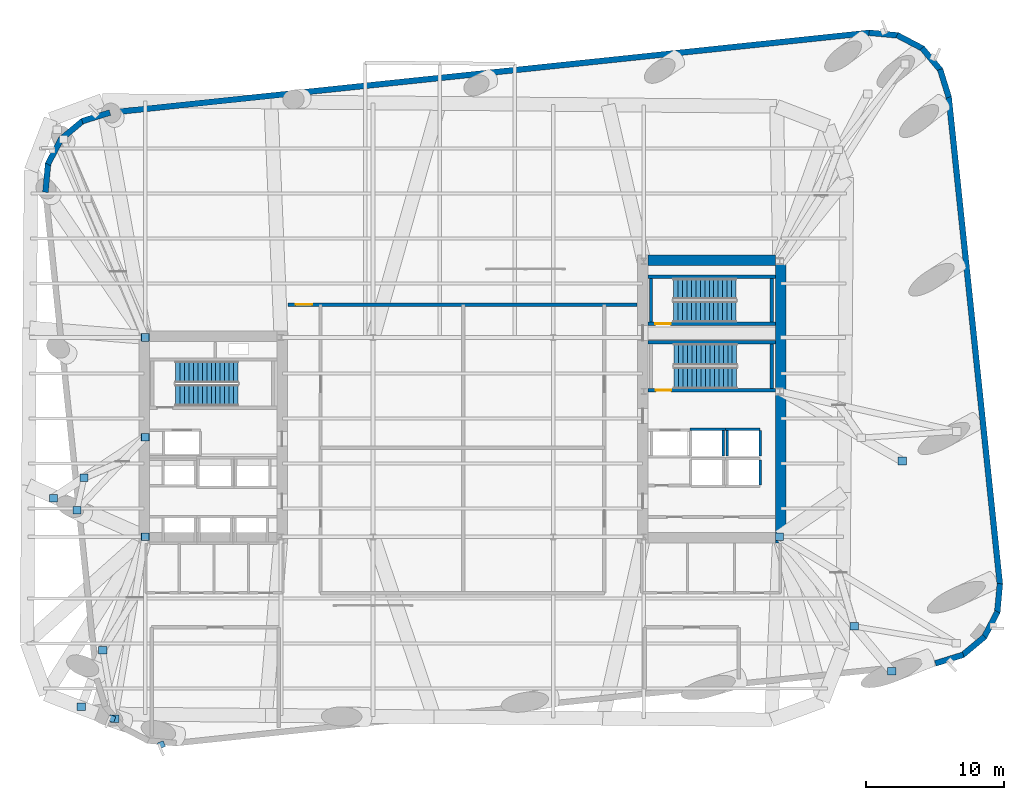
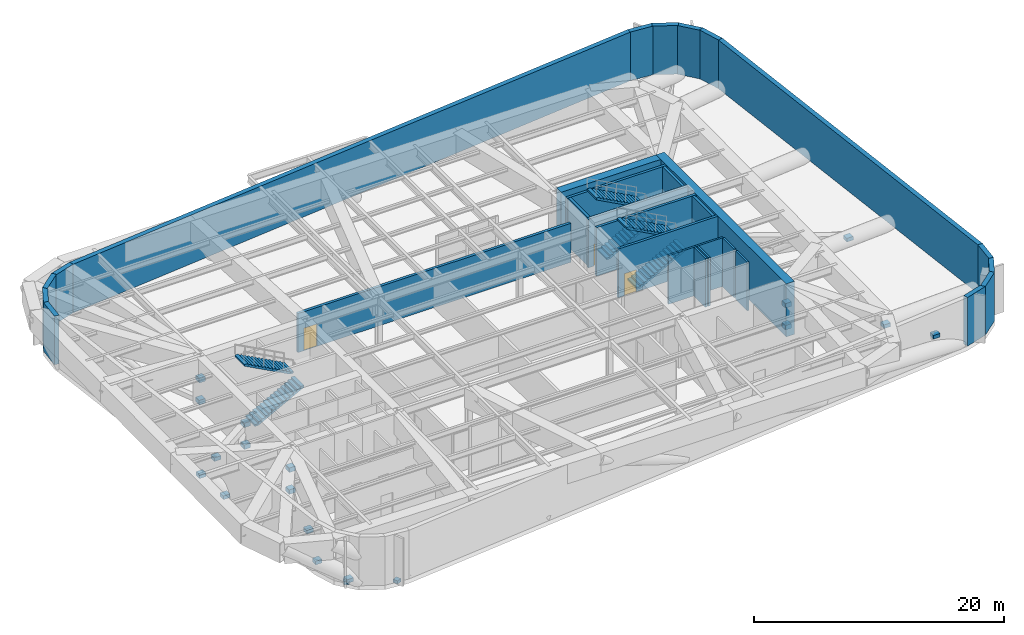
# One storey, part 9 of 15: 30 walls, 27 discrete accessories, 6 stair flights, 3 doors, 3 openings, 3 elements without a shape of their own.
"""IFC4 building model written with IfcOpenShell, lengths in metres."""

from ifc_helpers import new_model, si_unit, direction, frame, frame_2d, origin, origin_2d, place, context, subcontext, project, spatial, polyline, rectangle, outline, extrude, material, layer, layer_set, type_object, element, fill, aggregate, save


model = new_model("IFC4")

# Units and contexts
model_context = context("Model", 3, precision=1e-05, world=origin(), true_north=direction((0.0, 1.0)))
body_context = subcontext(model_context, "Body", "Model", "MODEL_VIEW")
ifc_project = project(units=[si_unit("LENGTHUNIT", "METRE"), si_unit("AREAUNIT", "SQUARE_METRE"), si_unit("VOLUMEUNIT", "CUBIC_METRE"), si_unit("PLANEANGLEUNIT", "RADIAN"), si_unit("MASSUNIT", "GRAM", prefix="KILO")], contexts=[model_context])

# Site, building, storey
site_placement = place(None, origin())
site = spatial("IfcSite", under=ifc_project, at=site_placement, CompositionType="ELEMENT")
building_placement = place(site_placement, origin())
building = spatial("IfcBuilding", under=site, at=building_placement, Name="Kolvaren Arena Tower", CompositionType="ELEMENT")
storey_placement = place(building_placement, frame((0.0, 0.0, 153.25)))
storey = spatial("IfcBuildingStorey", under=building, at=storey_placement, Name="L36", CompositionType="ELEMENT", Elevation=153.25)

# Walls
ifc_material_1 = material(Name="Concrete 70 MPa", Category="concrete")
ifc_layer_1 = layer(ifc_material_1, 0.75)
ifc_layer_set_1 = layer_set([ifc_layer_1], Name="Concrete 70 MPa")
wall_type_1 = type_object("IfcWallType", Name="CWALL-750", PredefinedType="SHEAR", material=ifc_layer_set_1)
wall_1_placement = place(storey_placement, frame((60.425048828125, 19.0, -0.419921875), z_axis=(0.0, 0.0, 1.0), x_axis=(0.0, 1.0, 0.0)))
element("IfcWall", 1, at=wall_1_placement, inside=storey, type_object=wall_type_1, Name="Core Shear Wall EC-EAST (L36)", PredefinedType="SHEAR", context=body_context, shape_type="SweptSolid", body=[
    extrude(rectangle(XDim=20.800048828125, YDim=0.75, at=frame_2d((10.39990234375, 0.0))), origin(), (0.0, 0.0, 1.0), 5.169921875),
])
wall_2_placement = place(storey_placement, frame((50.85009765625, 39.425048828125, -0.419921875), z_axis=(0.0, 0.0, 1.0), x_axis=(1.0, 0.0, 0.0)))
element("IfcWall", 2, at=wall_2_placement, inside=storey, type_object=wall_type_1, Name="Core Shear Wall EC-NORTH (L36)", PredefinedType="SHEAR", context=body_context, shape_type="SweptSolid", body=[
    extrude(rectangle(XDim=9.199951171875, YDim=0.75, at=frame_2d((4.60009765625, 0.0))), origin(), (0.0, 0.0, 1.0), 5.169921875),
])
ifc_material_2 = material(Name="Precast concrete C50/60", Category="concrete")
ifc_layer_2 = layer(ifc_material_2, 0.419921875)
ifc_layer_set_2 = layer_set([ifc_layer_2], Name="Precast concrete C50/60")
wall_type_2 = type_object("IfcWallType", Name="EXT-PIER1", PredefinedType="SOLIDWALL", material=ifc_layer_set_2)
for number, where, z_axis, x_axis, name in (
    (3, (73.61328125, 10.93701171875, 0.0), (0.0, 0.0, 1.0), (-0.954993985335, -0.296625164093, 0.0), "Exterior Precast Masonry-Frame Wall (L36)"),
    (4, (75.1611328125, 12.2451171875, 0.0), (0.0, 0.0, 1.0), (-0.768800317178, -0.639488914921, 0.0), "Exterior Precast Masonry-Frame Wall (L36)"),
):
    element("IfcWall", number, at=place(storey_placement, frame(where, z_axis=z_axis, x_axis=x_axis)), inside=storey, type_object=wall_type_2, Name=name, PredefinedType="SOLIDWALL", context=body_context, shape_type="SweptSolid", body=[
        extrude(rectangle(XDim=2.10693359375, YDim=0.419921875, at=frame_2d((1.053466796875, 0.0))), origin(), (0.0, 0.0, 1.0), 4.75),
    ])
wall_3_placement = place(storey_placement, frame((76.0908203125, 14.046142578125, 0.0), z_axis=(0.0, 0.0, 1.0), x_axis=(-0.465655699908, -0.884965970613, 0.0)))
element("IfcWall", 5, at=wall_3_placement, inside=storey, type_object=wall_type_2, Name="Exterior Precast Masonry-Frame Wall (L36)", PredefinedType="SOLIDWALL", context=body_context, shape_type="SweptSolid", body=[
    extrude(rectangle(XDim=2.107177734375, YDim=0.419921875, at=frame_2d((1.0537109375, 0.0))), origin(), (0.0, 0.0, 1.0), 4.75),
])
wall_4_placement = place(storey_placement, frame((76.26025390625, 16.065673828125, 0.0), z_axis=(0.0, 0.0, 1.0), x_axis=(-0.091538655308, -0.995801523691, 0.0)))
element("IfcWall", 6, at=wall_4_placement, inside=storey, type_object=wall_type_2, Name="Exterior Precast Masonry-Frame Wall (L36)", PredefinedType="SOLIDWALL", context=body_context, shape_type="SweptSolid", body=[
    extrude(rectangle(XDim=2.10693359375, YDim=0.419921875, at=frame_2d((1.053466796875, 0.0))), origin(), (0.0, 0.0, 1.0), 4.75),
])
wall_5_placement = place(storey_placement, frame((72.560302734375, 51.23046875, 0.0), z_axis=(0.0, 0.0, 1.0), x_axis=(0.1045253859, -0.994522218808, 0.0)))
element("IfcWall", 7, at=wall_5_placement, inside=storey, type_object=wall_type_2, Name="Exterior Precast Masonry-Frame Wall (L36)", PredefinedType="SOLIDWALL", context=body_context, shape_type="SweptSolid", body=[
    extrude(rectangle(XDim=35.39990234375, YDim=0.419921875, at=frame_2d((17.699951171875, 0.0))), origin(), (0.0, 0.0, 1.0), 4.75),
])
for number, where, z_axis, x_axis, name in (
    (8, (71.943603515625, 53.202392578125, 0.0), (0.0, 0.0, 1.0), (0.296625164093, -0.954993985335, 0.0), "Exterior Precast Masonry-Frame Wall (L36)"),
    (9, (70.635498046875, 54.750244140625, 0.0), (0.0, 0.0, 1.0), (0.639488914921, -0.768800317178, 0.0), "Exterior Precast Masonry-Frame Wall (L36)"),
    (10, (68.83447265625, 55.6796875, 0.0), (0.0, 0.0, 1.0), (0.885013714693, -0.465564952296, 0.0), "Exterior Precast Masonry-Frame Wall (L36)"),
    (11, (66.81494140625, 55.849365234375, 0.0), (0.0, 0.0, 1.0), (0.995801523691, -0.091538655308, 0.0), "Exterior Precast Masonry-Frame Wall (L36)"),
):
    element("IfcWall", number, at=place(storey_placement, frame(where, z_axis=z_axis, x_axis=x_axis)), inside=storey, type_object=wall_type_2, Name=name, PredefinedType="SOLIDWALL", context=body_context, shape_type="SweptSolid", body=[
        extrude(rectangle(XDim=2.10693359375, YDim=0.419921875, at=frame_2d((1.053466796875, 0.0))), origin(), (0.0, 0.0, 1.0), 4.75),
    ])
wall_6_placement = place(storey_placement, frame((11.95849609375, 50.07958984375, 0.0), z_axis=(0.0, 0.0, 1.0), x_axis=(0.994521823388, 0.104529148113, 0.0)))
element("IfcWall", 12, at=wall_6_placement, inside=storey, type_object=wall_type_2, Name="Exterior Precast Masonry-Frame Wall (L36)", PredefinedType="SOLIDWALL", context=body_context, shape_type="SweptSolid", body=[
    extrude(rectangle(XDim=55.2001953125, YDim=0.419921875, at=frame_2d((27.60009765625, 0.0))), origin(), (0.0, 0.0, 1.0), 4.75),
])
wall_7_placement = place(storey_placement, frame((9.98681640625, 49.463134765625, 0.0), z_axis=(0.0, 0.0, 1.0), x_axis=(0.955016613791, 0.296552301261, 0.0)))
element("IfcWall", 13, at=wall_7_placement, inside=storey, type_object=wall_type_2, Name="Exterior Precast Masonry-Frame Wall (L36)", PredefinedType="SOLIDWALL", context=body_context, shape_type="SweptSolid", body=[
    extrude(rectangle(XDim=2.106689453125, YDim=0.419921875, at=frame_2d((1.05322265625, 0.0))), origin(), (0.0, 0.0, 1.0), 4.75),
])
wall_8_placement = place(storey_placement, frame((8.438720703125, 48.15478515625, 0.0), z_axis=(0.0, 0.0, 1.0), x_axis=(0.768800317178, 0.639488914921, 0.0)))
element("IfcWall", 14, at=wall_8_placement, inside=storey, type_object=wall_type_2, Name="Exterior Precast Masonry-Frame Wall (L36)", PredefinedType="SOLIDWALL", context=body_context, shape_type="SweptSolid", body=[
    extrude(rectangle(XDim=2.10693359375, YDim=0.419921875, at=frame_2d((1.053466796875, 0.0))), origin(), (0.0, 0.0, 1.0), 4.75),
])
wall_9_placement = place(storey_placement, frame((7.50927734375, 46.35400390625, 0.0), z_axis=(0.0, 0.0, 1.0), x_axis=(0.465612698516, 0.884988595961, 0.0)))
element("IfcWall", 15, at=wall_9_placement, inside=storey, type_object=wall_type_2, Name="Exterior Precast Masonry-Frame Wall (L36)", PredefinedType="SOLIDWALL", context=body_context, shape_type="SweptSolid", body=[
    extrude(rectangle(XDim=2.106689453125, YDim=0.419921875, at=frame_2d((1.05322265625, 0.0))), origin(), (0.0, 0.0, 1.0), 4.75),
])
wall_10_placement = place(storey_placement, frame((7.339599609375, 44.33447265625, 0.0), z_axis=(0.0, 0.0, 1.0), x_axis=(0.091538655308, 0.995801523691, 0.0)))
element("IfcWall", 16, at=wall_10_placement, inside=storey, type_object=wall_type_2, Name="Exterior Precast Masonry-Frame Wall (L36)", PredefinedType="SOLIDWALL", context=body_context, shape_type="SweptSolid", body=[
    extrude(rectangle(XDim=2.10693359375, YDim=0.419921875, at=frame_2d((1.053466796875, 0.0))), origin(), (0.0, 0.0, 1.0), 4.75),
])

# Wall, opening, door
ifc_material_3 = material(Name="Concrete 45 MPa", Category="concrete")
ifc_layer_3 = layer(ifc_material_3, 0.25)
ifc_layer_set_3 = layer_set([ifc_layer_3], Name="Concrete 45 MPa")
wall_type_3 = type_object("IfcWallType", Name="SHAFT-250", PredefinedType="SOLIDWALL", material=ifc_layer_set_3)
wall_11_placement = place(storey_placement, frame((60.050048828125, 30.030029296875, 0.0), z_axis=(0.0, 0.0, 1.0), x_axis=(-1.0, 0.0, 0.0)))
wall_11 = element("IfcWall", 17, at=wall_11_placement, inside=storey, type_object=wall_type_3, Name="Core Shaft Wall (L36)", PredefinedType="SOLIDWALL", context=body_context, shape_type="SweptSolid", body=[
    extrude(rectangle(XDim=9.199951171875, YDim=0.239990234375, at=frame_2d((4.60009765625, 0.0))), origin(), (0.0, 0.0, 1.0), 4.75),
])
opening_1_placement = place(wall_11_placement, frame((7.530029296875, 0.0, 0.0)))
opening_1 = element("IfcOpeningElement", 18, at=opening_1_placement, cuts=wall_11, Name="Opening D03", PredefinedType="OPENING", context=body_context, shape_type="SweptSolid", body=[
    extrude(rectangle(XDim=1.10009765625, YDim=2.14990234375, at=frame_2d((0.550048828125, 1.074951171875))), frame((0.0, 0.1298828125, 0.0), z_axis=(0.0, -1.0, 0.0), x_axis=(1.0, 0.0, 0.0)), (0.0, 0.0, 1.0), 0.260009765625),
])
ifc_material_4 = material(Name="Fire-rated steel exit stair door", Category="steel")
door_type_1 = type_object("IfcDoorType", Name="DOOR-ST-110", OperationType="NOTDEFINED", PredefinedType="DOOR", material=ifc_material_4)
door_1_placement = place(opening_1_placement, origin())
door_1 = element("IfcDoor", 19, at=door_1_placement, inside=storey, type_object=door_type_1, Name="Stair ST-E1 Fire Door (L36)", OperationType="SINGLE_SWING_LEFT", OverallHeight=2.14990234375, OverallWidth=1.10009765625, PredefinedType="DOOR", context=body_context, shape_type="SweptSolid", body=[
    extrude(rectangle(XDim=1.10009765625, YDim=2.14990234375, at=frame_2d((0.550048828125, 1.074951171875))), frame((0.0, 0.02490234375, 0.0), z_axis=(0.0, -1.0, 0.0), x_axis=(1.0, 0.0, 0.0)), (0.0, 0.0, 1.0), 0.050048828125),
])
fill(opening_1, door_1)

# Walls
wall_12_placement = place(storey_placement, frame((50.85009765625, 33.5, 0.0), z_axis=(0.0, 0.0, 1.0), x_axis=(1.0, 0.0, 0.0)))
element("IfcWall", 20, at=wall_12_placement, inside=storey, type_object=wall_type_3, Name="Core Shaft Wall (L36)", PredefinedType="SOLIDWALL", context=body_context, shape_type="SweptSolid", body=[
    extrude(rectangle(XDim=9.199951171875, YDim=0.239990234375, at=frame_2d((4.60009765625, 0.0))), origin(), (0.0, 0.0, 1.0), 4.75),
])
wall_13_placement = place(storey_placement, frame((59.780029296875, 30.14990234375, 0.0), z_axis=(0.0, 0.0, 1.0), x_axis=(0.0, 1.0, 0.0)))
element("IfcWall", 21, at=wall_13_placement, inside=storey, type_object=wall_type_3, Name="Core Shaft Wall (L36)", PredefinedType="SOLIDWALL", context=body_context, shape_type="SweptSolid", body=[
    extrude(rectangle(XDim=3.22998046875, YDim=0.239990234375, at=frame_2d((1.614990234375, 0.0))), origin(), (0.0, 0.0, 1.0), 4.75),
])

# Wall, opening, door
wall_14_placement = place(storey_placement, frame((60.050048828125, 34.830078125, 0.0), z_axis=(0.0, 0.0, 1.0), x_axis=(-1.0, 0.0, 0.0)))
wall_14 = element("IfcWall", 22, at=wall_14_placement, inside=storey, type_object=wall_type_3, Name="Core Shaft Wall (L36)", PredefinedType="SOLIDWALL", context=body_context, shape_type="SweptSolid", body=[
    extrude(rectangle(XDim=9.199951171875, YDim=0.239990234375, at=frame_2d((4.60009765625, 0.0))), origin(), (0.0, 0.0, 1.0), 4.75),
])
opening_2_placement = place(wall_14_placement, frame((7.570068359375, 0.0, 0.0)))
opening_2 = element("IfcOpeningElement", 23, at=opening_2_placement, cuts=wall_14, Name="Opening D03", PredefinedType="OPENING", context=body_context, shape_type="SweptSolid", body=[
    extrude(rectangle(XDim=1.10009765625, YDim=2.14990234375, at=frame_2d((0.550048828125, 1.074951171875))), frame((0.0, 0.1298828125, 0.0), z_axis=(0.0, -1.0, 0.0), x_axis=(1.0, 0.0, 0.0)), (0.0, 0.0, 1.0), 0.260009765625),
])
door_2_placement = place(opening_2_placement, origin())
door_2 = element("IfcDoor", 24, at=door_2_placement, inside=storey, type_object=door_type_1, Name="Stair ST-E2 Fire Door (L36)", OperationType="SINGLE_SWING_LEFT", OverallHeight=2.14990234375, OverallWidth=1.10009765625, PredefinedType="DOOR", context=body_context, shape_type="SweptSolid", body=[
    extrude(rectangle(XDim=1.10009765625, YDim=2.14990234375, at=frame_2d((0.550048828125, 1.074951171875))), frame((0.0, 0.02490234375, 0.0), z_axis=(0.0, -1.0, 0.0), x_axis=(1.0, 0.0, 0.0)), (0.0, 0.0, 1.0), 0.050048828125),
])
fill(opening_2, door_2)

# Walls
wall_15_placement = place(storey_placement, frame((50.85009765625, 38.219970703125, 0.0), z_axis=(0.0, 0.0, 1.0), x_axis=(1.0, 0.0, 0.0)))
element("IfcWall", 25, at=wall_15_placement, inside=storey, type_object=wall_type_3, Name="Core Shaft Wall (L36)", PredefinedType="SOLIDWALL", context=body_context, shape_type="SweptSolid", body=[
    extrude(rectangle(XDim=9.199951171875, YDim=0.239990234375, at=frame_2d((4.60009765625, 0.0))), origin(), (0.0, 0.0, 1.0), 4.75),
])
for number, where, z_axis, x_axis, name in (
    (26, (51.06005859375, 34.949951171875, 0.0), (0.0, 0.0, 1.0), (0.0, 1.0, 0.0), "Core Shaft Wall (L36)"),
    (27, (59.780029296875, 34.949951171875, 0.0), (0.0, 0.0, 1.0), (0.0, 1.0, 0.0), "Core Shaft Wall (L36)"),
):
    element("IfcWall", number, at=place(storey_placement, frame(where, z_axis=z_axis, x_axis=x_axis)), inside=storey, type_object=wall_type_3, Name=name, PredefinedType="SOLIDWALL", context=body_context, shape_type="SweptSolid", body=[
        extrude(rectangle(XDim=3.150146484375, YDim=0.239990234375, at=frame_2d((1.5751953125, 0.0))), origin(), (0.0, 0.0, 1.0), 4.75),
    ])
wall_16_placement = place(storey_placement, frame((58.93994140625, 23.18505859375, 0.0), z_axis=(0.0, 0.0, 1.0), x_axis=(0.0, 1.0, 0.0)))
element("IfcWall", 28, at=wall_16_placement, inside=storey, type_object=wall_type_3, Name="Core Shaft Wall (L36)", PredefinedType="SOLIDWALL", context=body_context, shape_type="SweptSolid", body=[
    extrude(rectangle(XDim=1.829833984375, YDim=0.179931640625, at=frame_2d((0.9150390625, 0.0))), origin(), (0.0, 0.0, 1.0), 4.75),
])
wall_17_placement = place(storey_placement, frame((53.864990234375, 27.205078125, 0.0), z_axis=(0.0, 0.0, 1.0), x_axis=(1.0, 0.0, 0.0)))
element("IfcWall", 29, at=wall_17_placement, inside=storey, type_object=wall_type_3, Name="Core Shaft Wall (L36)", PredefinedType="SOLIDWALL", context=body_context, shape_type="SweptSolid", body=[
    extrude(rectangle(XDim=2.574951171875, YDim=0.179931640625, at=frame_2d((1.28759765625, 0.0))), origin(), (0.0, 0.0, 1.0), 4.75),
])
wall_18_placement = place(storey_placement, frame((56.300048828125, 25.284912109375, 0.0), z_axis=(0.0, 0.0, 1.0), x_axis=(0.0, 1.0, 0.0)))
element("IfcWall", 30, at=wall_18_placement, inside=storey, type_object=wall_type_3, Name="Core Shaft Wall (L36)", PredefinedType="SOLIDWALL", context=body_context, shape_type="SweptSolid", body=[
    extrude(rectangle(XDim=1.830078125, YDim=0.179931640625, at=frame_2d((0.9150390625, 0.0))), origin(), (0.0, 0.0, 1.0), 4.75),
])
wall_19_placement = place(storey_placement, frame((56.43994140625, 27.205078125, 0.0), z_axis=(0.0, 0.0, 1.0), x_axis=(1.0, 0.0, 0.0)))
element("IfcWall", 31, at=wall_19_placement, inside=storey, type_object=wall_type_3, Name="Core Shaft Wall (L36)", PredefinedType="SOLIDWALL", context=body_context, shape_type="SweptSolid", body=[
    extrude(rectangle(XDim=2.5, YDim=0.179931640625, at=frame_2d((1.25, 0.0))), origin(), (0.0, 0.0, 1.0), 4.75),
])
for number, where, z_axis, x_axis, name in (
    (32, (56.580078125, 25.284912109375, 0.0), (0.0, 0.0, 1.0), (0.0, 1.0, 0.0), "Core Shaft Wall (L36)"),
    (33, (58.93994140625, 25.284912109375, 0.0), (0.0, 0.0, 1.0), (0.0, 1.0, 0.0), "Core Shaft Wall (L36)"),
):
    element("IfcWall", number, at=place(storey_placement, frame(where, z_axis=z_axis, x_axis=x_axis)), inside=storey, type_object=wall_type_3, Name=name, PredefinedType="SOLIDWALL", context=body_context, shape_type="SweptSolid", body=[
        extrude(rectangle(XDim=1.830078125, YDim=0.179931640625, at=frame_2d((0.9150390625, 0.0))), origin(), (0.0, 0.0, 1.0), 4.75),
    ])

# Wall, opening, door
wall_20_placement = place(storey_placement, frame((24.85009765625, 36.219970703125, 0.0), z_axis=(0.0, 0.0, 1.0), x_axis=(1.0, 0.0, 0.0)))
wall_20 = element("IfcWall", 34, at=wall_20_placement, inside=storey, type_object=wall_type_3, Name="Interior Partition Wall (L36)", PredefinedType="SOLIDWALL", context=body_context, shape_type="SweptSolid", body=[
    extrude(rectangle(XDim=25.199951171875, YDim=0.25, at=frame_2d((12.60009765625, 0.0))), origin(), (0.0, 0.0, 1.0), 3.81005859375),
])
opening_3_placement = place(wall_20_placement, frame((0.550048828125, 0.0, 0.0)))
opening_3 = element("IfcOpeningElement", 35, at=opening_3_placement, cuts=wall_20, Name="Opening D08", PredefinedType="OPENING", context=body_context, shape_type="SweptSolid", body=[
    extrude(rectangle(XDim=1.199951171875, YDim=2.199951171875, at=frame_2d((0.60009765625, 1.10009765625))), frame((0.0, 0.135009765625, 0.0), z_axis=(0.0, -1.0, 0.0), x_axis=(1.0, 0.0, 0.0)), (0.0, 0.0, 1.0), 0.27001953125),
])
ifc_material_5 = material(Name="Fire-rated steel plant room door", Category="steel")
door_type_2 = type_object("IfcDoorType", Name="DOOR-PL-120", OperationType="NOTDEFINED", PredefinedType="DOOR", material=ifc_material_5)
door_3_placement = place(opening_3_placement, origin())
door_3 = element("IfcDoor", 36, at=door_3_placement, inside=storey, type_object=door_type_2, Name="Smoke Fan Plant Door (L36)", OperationType="SINGLE_SWING_LEFT", OverallHeight=2.199951171875, OverallWidth=1.199951171875, PredefinedType="DOOR", context=body_context, shape_type="SweptSolid", body=[
    extrude(rectangle(XDim=1.199951171875, YDim=2.199951171875, at=frame_2d((0.60009765625, 1.10009765625))), frame((0.0, 0.02490234375, 0.0), z_axis=(0.0, -1.0, 0.0), x_axis=(1.0, 0.0, 0.0)), (0.0, 0.0, 1.0), 0.050048828125),
])
fill(opening_3, door_3)

# Stair, stair flights
stair_type_1 = type_object("IfcStairType", Name="STAIR-CORE-150", PredefinedType="HALF_TURN_STAIR", material=ifc_material_3)
stair_1_placement = place(storey_placement, origin())
stair_1 = element("IfcStair", 37, at=stair_1_placement, inside=storey, type_object=stair_type_1, Name="L36 ST-E2", PredefinedType="HALF_TURN_STAIR")
stair_flight_type_1 = type_object("IfcStairFlightType", Name="FLT-150", PredefinedType="STRAIGHT", material=ifc_material_3)
stair_flight_1_placement = place(storey_placement, frame((52.679931640625, 35.699951171875, 0.0), z_axis=(0.0, 0.0, 1.0), x_axis=(1.0, 0.0, 0.0)))
stair_flight_1 = element("IfcStairFlight", 38, at=stair_flight_1_placement, type_object=stair_flight_type_1, Name="ST-E2 flight 1", NumberOfRisers=15, NumberOfTreads=14, PredefinedType="STRAIGHT", RiserHeight=0.173333333, TreadLength=0.324, context=body_context, shape_type="SweptSolid", body=[
    extrude(outline(polyline([(0.0, 0.0), (0.0, 0.17333984375), (0.323974609375, 0.17333984375), (0.323974609375, 0.3466796875), (0.64794921875, 0.3466796875), (0.64794921875, 0.52001953125), (0.971923828125, 0.52001953125), (0.971923828125, 0.693359375), (1.2958984375, 0.693359375), (1.2958984375, 0.86669921875), (1.6201171875, 0.86669921875), (1.6201171875, 1.0400390625), (1.944091796875, 1.0400390625), (1.944091796875, 1.21337890625), (2.26806640625, 1.21337890625), (2.26806640625, 1.38671875), (2.592041015625, 1.38671875), (2.592041015625, 1.56005859375), (2.916015625, 1.56005859375), (2.916015625, 1.7333984375), (3.239990234375, 1.7333984375), (3.239990234375, 1.90673828125), (3.56396484375, 1.90673828125), (3.56396484375, 2.080078125), (3.887939453125, 2.080078125), (3.887939453125, 2.25341796875), (4.2119140625, 2.25341796875), (4.2119140625, 2.4267578125), (4.535888671875, 2.4267578125), (4.535888671875, 2.60009765625), (4.535888671875, 2.256591796875), (0.31787109375, 0.0), (0.0, 0.0)])), frame((0.0, 0.75, 0.0), z_axis=(0.0, -1.0, 0.0), x_axis=(1.0, 0.0, 0.0)), (0.0, 0.0, 1.0), 1.5),
])
stair_flight_2_placement = place(storey_placement, frame((57.216064453125, 37.35009765625, 2.60009765625), z_axis=(0.0, 0.0, 1.0), x_axis=(-1.0, 0.0, 0.0)))
stair_flight_2 = element("IfcStairFlight", 39, at=stair_flight_2_placement, type_object=stair_flight_type_1, Name="ST-E2 flight 2", NumberOfRisers=15, NumberOfTreads=14, PredefinedType="STRAIGHT", RiserHeight=0.173333333, TreadLength=0.324, context=body_context, shape_type="SweptSolid", body=[
    extrude(outline(polyline([(0.0, 0.0), (0.0, 0.17333984375), (0.323974609375, 0.17333984375), (0.323974609375, 0.3466796875), (0.64794921875, 0.3466796875), (0.64794921875, 0.52001953125), (0.971923828125, 0.52001953125), (0.971923828125, 0.693359375), (1.2958984375, 0.693359375), (1.2958984375, 0.86669921875), (1.6201171875, 0.86669921875), (1.6201171875, 1.0400390625), (1.944091796875, 1.0400390625), (1.944091796875, 1.21337890625), (2.26806640625, 1.21337890625), (2.26806640625, 1.38671875), (2.592041015625, 1.38671875), (2.592041015625, 1.56005859375), (2.916015625, 1.56005859375), (2.916015625, 1.7333984375), (3.239990234375, 1.7333984375), (3.239990234375, 1.90673828125), (3.56396484375, 1.90673828125), (3.56396484375, 2.080078125), (3.887939453125, 2.080078125), (3.887939453125, 2.25341796875), (4.2119140625, 2.25341796875), (4.2119140625, 2.4267578125), (4.535888671875, 2.4267578125), (4.535888671875, 2.60009765625), (4.535888671875, 2.256591796875), (0.31787109375, 0.0), (0.0, 0.0)])), frame((0.0, 0.75, 0.0), z_axis=(0.0, -1.0, 0.0), x_axis=(1.0, 0.0, 0.0)), (0.0, 0.0, 1.0), 1.5),
])
aggregate(stair_1, [stair_flight_1, stair_flight_2])

stair_type_2 = type_object("IfcStairType", Name="STAIR-CORE-165", PredefinedType="HALF_TURN_STAIR", material=ifc_material_3)
stair_2_placement = place(storey_placement, origin())
stair_2 = element("IfcStair", 40, at=stair_2_placement, inside=storey, type_object=stair_type_2, Name="L36 ST-W1", PredefinedType="HALF_TURN_STAIR")
stair_flight_type_2 = type_object("IfcStairFlightType", Name="FLT-165", PredefinedType="STRAIGHT", material=ifc_material_3)
stair_flight_3_placement = place(storey_placement, frame((16.719970703125, 29.669921875, 0.0), z_axis=(0.0, 0.0, 1.0), x_axis=(1.0, 0.0, 0.0)))
stair_flight_3 = element("IfcStairFlight", 41, at=stair_flight_3_placement, type_object=stair_flight_type_2, Name="ST-W1 flight 1", NumberOfRisers=15, NumberOfTreads=14, PredefinedType="STRAIGHT", RiserHeight=0.173333333, TreadLength=0.324, context=body_context, shape_type="SweptSolid", body=[
    extrude(outline(polyline([(0.0, 0.0), (0.0, 0.17333984375), (0.323974609375, 0.17333984375), (0.323974609375, 0.3466796875), (0.64794921875, 0.3466796875), (0.64794921875, 0.52001953125), (0.971923828125, 0.52001953125), (0.971923828125, 0.693359375), (1.2958984375, 0.693359375), (1.2958984375, 0.86669921875), (1.6201171875, 0.86669921875), (1.6201171875, 1.0400390625), (1.944091796875, 1.0400390625), (1.944091796875, 1.21337890625), (2.26806640625, 1.21337890625), (2.26806640625, 1.38671875), (2.592041015625, 1.38671875), (2.592041015625, 1.56005859375), (2.916015625, 1.56005859375), (2.916015625, 1.7333984375), (3.239990234375, 1.7333984375), (3.239990234375, 1.90673828125), (3.56396484375, 1.90673828125), (3.56396484375, 2.080078125), (3.887939453125, 2.080078125), (3.887939453125, 2.25341796875), (4.2119140625, 2.25341796875), (4.2119140625, 2.4267578125), (4.535888671875, 2.4267578125), (4.535888671875, 2.60009765625), (4.535888671875, 2.256591796875), (0.31787109375, 0.0), (0.0, 0.0)])), frame((0.0, 0.77001953125, 0.0), z_axis=(0.0, -1.0, 0.0), x_axis=(1.0, 0.0, 0.0)), (0.0, 0.0, 1.0), 1.5400390625),
])
stair_flight_4_placement = place(storey_placement, frame((21.256103515625, 31.360107421875, 2.60009765625), z_axis=(0.0, 0.0, 1.0), x_axis=(-1.0, 0.0, 0.0)))
stair_flight_4 = element("IfcStairFlight", 42, at=stair_flight_4_placement, type_object=stair_flight_type_2, Name="ST-W1 flight 2", NumberOfRisers=15, NumberOfTreads=14, PredefinedType="STRAIGHT", RiserHeight=0.173333333, TreadLength=0.324, context=body_context, shape_type="SweptSolid", body=[
    extrude(outline(polyline([(0.0, 0.0), (0.0, 0.17333984375), (0.323974609375, 0.17333984375), (0.323974609375, 0.3466796875), (0.64794921875, 0.3466796875), (0.64794921875, 0.52001953125), (0.971923828125, 0.52001953125), (0.971923828125, 0.693359375), (1.2958984375, 0.693359375), (1.2958984375, 0.86669921875), (1.6201171875, 0.86669921875), (1.6201171875, 1.0400390625), (1.944091796875, 1.0400390625), (1.944091796875, 1.21337890625), (2.26806640625, 1.21337890625), (2.26806640625, 1.38671875), (2.592041015625, 1.38671875), (2.592041015625, 1.56005859375), (2.916015625, 1.56005859375), (2.916015625, 1.7333984375), (3.239990234375, 1.7333984375), (3.239990234375, 1.90673828125), (3.56396484375, 1.90673828125), (3.56396484375, 2.080078125), (3.887939453125, 2.080078125), (3.887939453125, 2.25341796875), (4.2119140625, 2.25341796875), (4.2119140625, 2.4267578125), (4.535888671875, 2.4267578125), (4.535888671875, 2.60009765625), (4.535888671875, 2.256591796875), (0.31787109375, 0.0), (0.0, 0.0)])), frame((0.0, 0.77001953125, 0.0), z_axis=(0.0, -1.0, 0.0), x_axis=(1.0, 0.0, 0.0)), (0.0, 0.0, 1.0), 1.5400390625),
])
aggregate(stair_2, [stair_flight_3, stair_flight_4])

stair_3_placement = place(storey_placement, origin())
stair_3 = element("IfcStair", 43, at=stair_3_placement, inside=storey, type_object=stair_type_2, Name="L36 ST-E1", PredefinedType="HALF_TURN_STAIR")
stair_flight_5_placement = place(storey_placement, frame((52.719970703125, 30.919921875, 0.0), z_axis=(0.0, 0.0, 1.0), x_axis=(1.0, 0.0, 0.0)))
stair_flight_5 = element("IfcStairFlight", 44, at=stair_flight_5_placement, type_object=stair_flight_type_2, Name="ST-E1 flight 1", NumberOfRisers=15, NumberOfTreads=14, PredefinedType="STRAIGHT", RiserHeight=0.173333333, TreadLength=0.324, context=body_context, shape_type="SweptSolid", body=[
    extrude(outline(polyline([(0.0, 0.0), (0.0, 0.17333984375), (0.323974609375, 0.17333984375), (0.323974609375, 0.3466796875), (0.64794921875, 0.3466796875), (0.64794921875, 0.52001953125), (0.971923828125, 0.52001953125), (0.971923828125, 0.693359375), (1.2958984375, 0.693359375), (1.2958984375, 0.86669921875), (1.6201171875, 0.86669921875), (1.6201171875, 1.0400390625), (1.944091796875, 1.0400390625), (1.944091796875, 1.21337890625), (2.26806640625, 1.21337890625), (2.26806640625, 1.38671875), (2.592041015625, 1.38671875), (2.592041015625, 1.56005859375), (2.916015625, 1.56005859375), (2.916015625, 1.7333984375), (3.239990234375, 1.7333984375), (3.239990234375, 1.90673828125), (3.56396484375, 1.90673828125), (3.56396484375, 2.080078125), (3.887939453125, 2.080078125), (3.887939453125, 2.25341796875), (4.2119140625, 2.25341796875), (4.2119140625, 2.4267578125), (4.535888671875, 2.4267578125), (4.535888671875, 2.60009765625), (4.535888671875, 2.256591796875), (0.31787109375, 0.0), (0.0, 0.0)])), frame((0.0, 0.77001953125, 0.0), z_axis=(0.0, -1.0, 0.0), x_axis=(1.0, 0.0, 0.0)), (0.0, 0.0, 1.0), 1.5400390625),
])
stair_flight_6_placement = place(storey_placement, frame((57.256103515625, 32.610107421875, 2.60009765625), z_axis=(0.0, 0.0, 1.0), x_axis=(-1.0, 0.0, 0.0)))
stair_flight_6 = element("IfcStairFlight", 45, at=stair_flight_6_placement, type_object=stair_flight_type_2, Name="ST-E1 flight 2", NumberOfRisers=15, NumberOfTreads=14, PredefinedType="STRAIGHT", RiserHeight=0.173333333, TreadLength=0.324, context=body_context, shape_type="SweptSolid", body=[
    extrude(outline(polyline([(0.0, 0.0), (0.0, 0.17333984375), (0.323974609375, 0.17333984375), (0.323974609375, 0.3466796875), (0.64794921875, 0.3466796875), (0.64794921875, 0.52001953125), (0.971923828125, 0.52001953125), (0.971923828125, 0.693359375), (1.2958984375, 0.693359375), (1.2958984375, 0.86669921875), (1.6201171875, 0.86669921875), (1.6201171875, 1.0400390625), (1.944091796875, 1.0400390625), (1.944091796875, 1.21337890625), (2.26806640625, 1.21337890625), (2.26806640625, 1.38671875), (2.592041015625, 1.38671875), (2.592041015625, 1.56005859375), (2.916015625, 1.56005859375), (2.916015625, 1.7333984375), (3.239990234375, 1.7333984375), (3.239990234375, 1.90673828125), (3.56396484375, 1.90673828125), (3.56396484375, 2.080078125), (3.887939453125, 2.080078125), (3.887939453125, 2.25341796875), (4.2119140625, 2.25341796875), (4.2119140625, 2.4267578125), (4.535888671875, 2.4267578125), (4.535888671875, 2.60009765625), (4.535888671875, 2.256591796875), (0.31787109375, 0.0), (0.0, 0.0)])), frame((0.0, 0.77001953125, 0.0), z_axis=(0.0, -1.0, 0.0), x_axis=(1.0, 0.0, 0.0)), (0.0, 0.0, 1.0), 1.5400390625),
])
aggregate(stair_3, [stair_flight_5, stair_flight_6])

# Discrete accessories
ifc_material_6 = material(Name="Stainless steel facade support bracket", Category="steel")
discrete_accessory_type_1 = type_object("IfcDiscreteAccessoryType", Name="ACC-BRKT-1", PredefinedType="BRACKET", material=ifc_material_6)
for number, where, z_axis, x_axis, name in (
    (46, (12.12939453125, 6.325439453125, 0.02001953125), (0.0, 0.0, 1.0), (-0.378634078949, -0.925546451702, 0.0), "Corner Fin Anchor Bracket (L36)"),
    (47, (15.716796875, 4.43798828125, 0.02001953125), (0.0, 0.0, 1.0), (0.386706132999, -0.922202996472, 0.0), "Corner Fin Anchor Bracket (L36)"),
):
    element("IfcDiscreteAccessory", number, at=place(storey_placement, frame(where, z_axis=z_axis, x_axis=x_axis)), inside=storey, type_object=discrete_accessory_type_1, Name=name, PredefinedType="BRACKET", context=body_context, shape_type="SweptSolid", body=[
        extrude(rectangle(XDim=0.449951171875, YDim=0.449951171875, at=origin_2d()), origin(), (0.0, 0.0, 1.0), 0.300048828125),
    ])
ifc_material_7 = material(Name="Steel CSA G40.21 350W bolted gusset connection", Category="steel")
discrete_accessory_type_2 = type_object("IfcDiscreteAccessoryType", Name="ACC-CONN-1", PredefinedType="BRACKET", material=ifc_material_7)
for number, where, z_axis, x_axis, name in (
    (48, (14.550048828125, 19.449951171875, 2.2998046875), (0.0, 0.0, 1.0), (1.0, 0.0, 0.0), "Outrigger Gusset Connection 1-1 (L36)"),
    (49, (14.550048828125, 19.449951171875, 0.169921875), (0.0, 0.0, 1.0), (1.0, 0.0, 0.0), "Outrigger Gusset Connection 1-2 (L36)"),
    (50, (11.47021484375, 11.269775390625, 2.2998046875), (0.0, 0.0, 1.0), (1.0, 0.0, 0.0), "Outrigger Gusset Connection 1-3 (L36)"),
    (51, (9.93017578125, 7.1796875, 2.2998046875), (0.0, 0.0, 1.0), (1.0, 0.0, 0.0), "Outrigger Gusset Connection 1-4 (L36)"),
    (52, (12.3408203125, 6.328369140625, 0.169921875), (0.0, 0.0, 1.0), (1.0, 0.0, 0.0), "Outrigger Gusset Connection 1-5 (L36)"),
    (53, (14.550048828125, 33.85009765625, 2.2998046875), (0.0, 0.0, 1.0), (1.0, 0.0, 0.0), "Outrigger Gusset Connection 2-1 (L36)"),
    (54, (14.550048828125, 33.85009765625, 0.169921875), (0.0, 0.0, 1.0), (1.0, 0.0, 0.0), "Outrigger Gusset Connection 2-2 (L36)"),
    (55, (60.35009765625, 19.449951171875, 2.2998046875), (0.0, 0.0, 1.0), (1.0, 0.0, 0.0), "Outrigger Gusset Connection 3-1 (L36)"),
    (56, (60.35009765625, 19.449951171875, 0.169921875), (0.0, 0.0, 1.0), (1.0, 0.0, 0.0), "Outrigger Gusset Connection 3-2 (L36)"),
    (57, (65.74609375, 12.981201171875, 2.2998046875), (0.0, 0.0, 1.0), (1.0, 0.0, 0.0), "Outrigger Gusset Connection 3-3 (L36)"),
    (58, (68.444091796875, 9.74658203125, 2.2998046875), (0.0, 0.0, 1.0), (1.0, 0.0, 0.0), "Outrigger Gusset Connection 3-4 (L36)"),
    (59, (14.550048828125, 26.64990234375, 2.2998046875), (0.0, 0.0, 1.0), (1.0, 0.0, 0.0), "Outrigger Gusset Connection 5-1 (L36)"),
    (60, (14.550048828125, 26.64990234375, 0.169921875), (0.0, 0.0, 1.0), (1.0, 0.0, 0.0), "Outrigger Gusset Connection 5-2 (L36)"),
    (61, (10.126708984375, 23.7158203125, 2.2998046875), (0.0, 0.0, 1.0), (1.0, 0.0, 0.0), "Outrigger Gusset Connection 5-3 (L36)"),
    (62, (7.9150390625, 22.248779296875, 2.2998046875), (0.0, 0.0, 1.0), (1.0, 0.0, 0.0), "Outrigger Gusset Connection 5-4 (L36)"),
    (63, (9.61669921875, 21.380615234375, 0.169921875), (0.0, 0.0, 1.0), (1.0, 0.0, 0.0), "Outrigger Gusset Connection 5-5 (L36)"),
    (64, (69.20458984375, 24.929931640625, 2.2998046875), (0.0, 0.0, 1.0), (1.0, 0.0, 0.0), "Outrigger Gusset Connection 6-4 (L36)"),
):
    element("IfcDiscreteAccessory", number, at=place(storey_placement, frame(where, z_axis=z_axis, x_axis=x_axis)), inside=storey, type_object=discrete_accessory_type_2, Name=name, PredefinedType="BRACKET", context=body_context, shape_type="SweptSolid", body=[
        extrude(rectangle(XDim=0.60009765625, YDim=0.550048828125, at=origin_2d()), origin(), (0.0, 0.0, 1.0), 0.360107421875),
    ])
for number, where, z_axis, x_axis, name in (
    (65, (14.550048828125, 19.449951171875, 2.260009765625), (0.0, 0.0, 1.0), (1.0, 0.0, 0.0), "Core Wall Cast-In Embed Plate EP1 (L36)"),
    (66, (14.550048828125, 19.449951171875, 0.130126953125), (0.0, 0.0, 1.0), (1.0, 0.0, 0.0), "Core Wall Cast-In Embed Plate EP1 (L36)"),
    (67, (14.550048828125, 33.85009765625, 2.260009765625), (0.0, 0.0, 1.0), (1.0, 0.0, 0.0), "Core Wall Cast-In Embed Plate EP1 (L36)"),
    (68, (14.550048828125, 33.85009765625, 0.130126953125), (0.0, 0.0, 1.0), (1.0, 0.0, 0.0), "Core Wall Cast-In Embed Plate EP1 (L36)"),
    (69, (60.35009765625, 19.449951171875, 2.260009765625), (0.0, 0.0, 1.0), (1.0, 0.0, 0.0), "Core Wall Cast-In Embed Plate EP1 (L36)"),
    (70, (60.35009765625, 19.449951171875, 0.130126953125), (0.0, 0.0, 1.0), (1.0, 0.0, 0.0), "Core Wall Cast-In Embed Plate EP1 (L36)"),
    (71, (14.550048828125, 26.64990234375, 2.260009765625), (0.0, 0.0, 1.0), (1.0, 0.0, 0.0), "Core Wall Cast-In Embed Plate EP1 (L36)"),
    (72, (14.550048828125, 26.64990234375, 0.130126953125), (0.0, 0.0, 1.0), (1.0, 0.0, 0.0), "Core Wall Cast-In Embed Plate EP1 (L36)"),
):
    element("IfcDiscreteAccessory", number, at=place(storey_placement, frame(where, z_axis=z_axis, x_axis=x_axis)), inside=storey, type_object=discrete_accessory_type_2, Name=name, PredefinedType="BRACKET", context=body_context, shape_type="SweptSolid", body=[
        extrude(rectangle(XDim=0.56005859375, YDim=0.56005859375, at=origin_2d()), origin(), (0.0, 0.0, 1.0), 0.43994140625),
    ])

save(model, "model.ifc")
